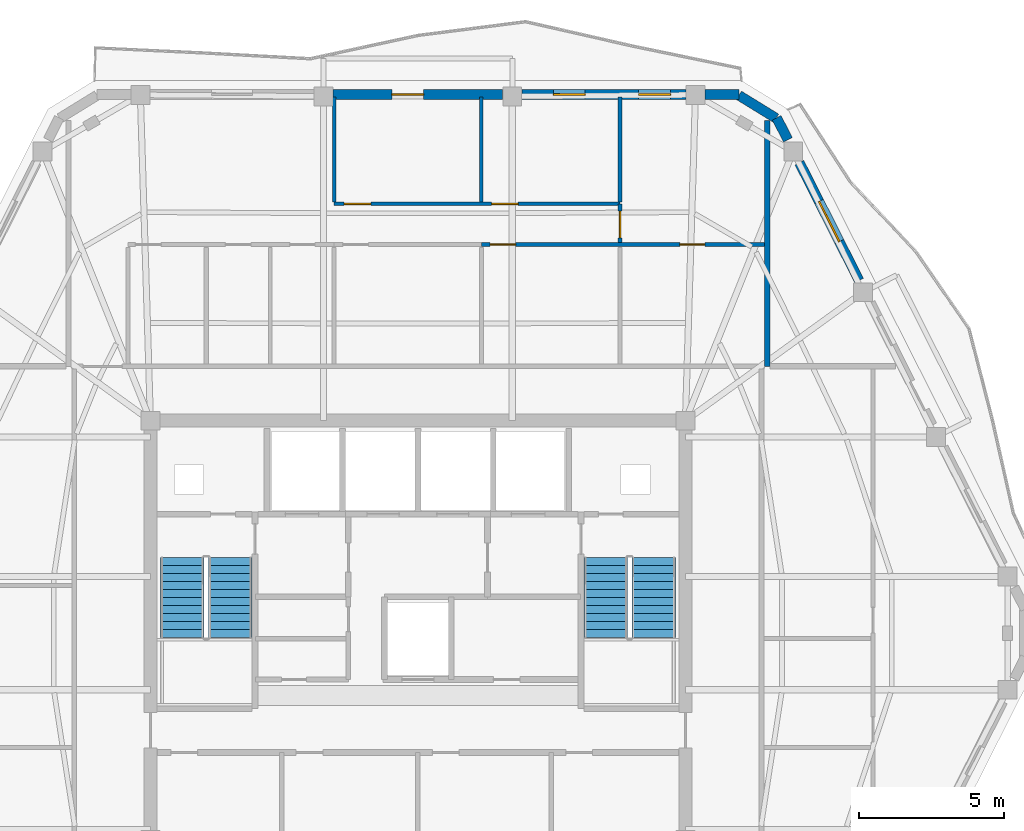
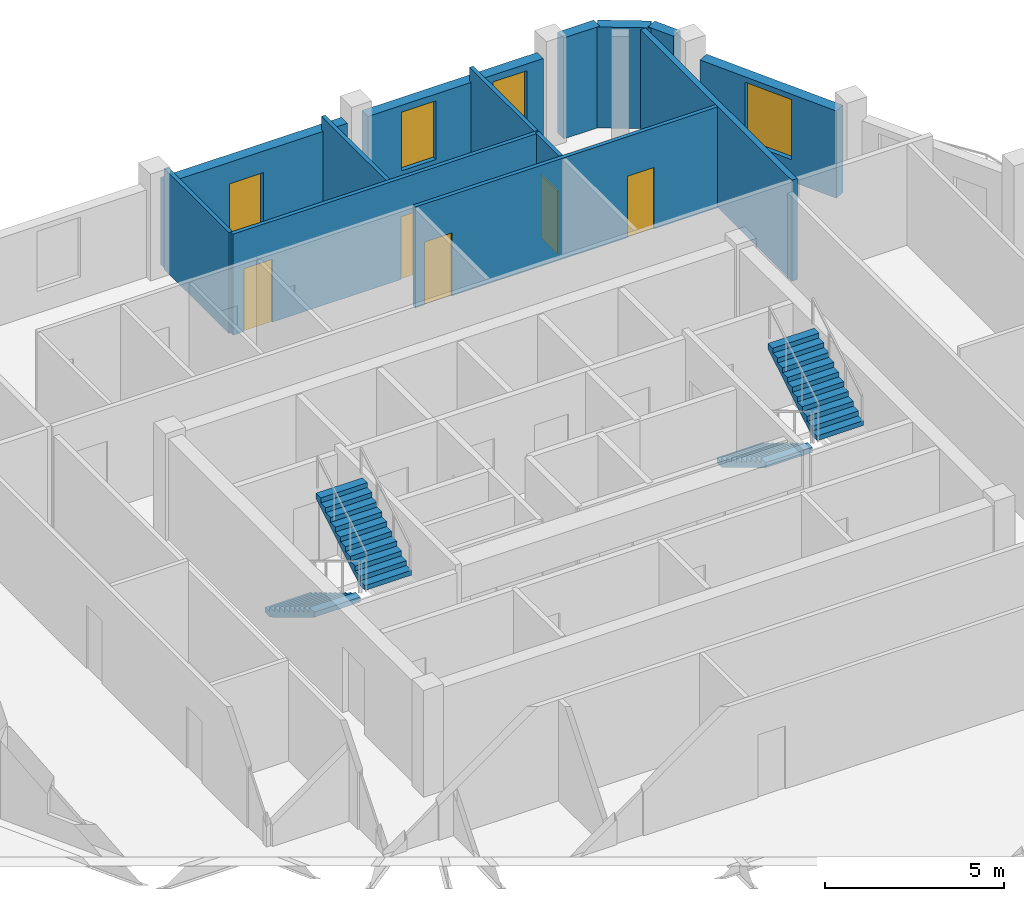
# One storey, part 7 of 10: 13 walls, 6 doors, 4 stair flights, 3 windows, 9 openings, 2 elements without a shape of their own.
"""IFC4 building model written with IfcOpenShell, lengths in metres."""

from ifc_helpers import new_model, si_unit, direction, frame, frame_2d, origin, place, context, subcontext, project, spatial, polyline, rectangle, outline, extrude, material, layer, layer_set, type_object, element, fill, aggregate, save


model = new_model("IFC4")

# Units and contexts
model_context = context("Model", 3, precision=1e-05, world=origin(), true_north=direction((0.0, 1.0)))
body_context = subcontext(model_context, "Body", "Model", "MODEL_VIEW")
ifc_project = project(units=[si_unit("LENGTHUNIT", "METRE"), si_unit("AREAUNIT", "SQUARE_METRE"), si_unit("VOLUMEUNIT", "CUBIC_METRE"), si_unit("PLANEANGLEUNIT", "RADIAN"), si_unit("MASSUNIT", "GRAM", prefix="KILO")], contexts=[model_context])

# Site, building, storey
site_placement = place(None, origin())
site = spatial("IfcSite", under=ifc_project, at=site_placement, CompositionType="ELEMENT")
building_placement = place(site_placement, origin())
building = spatial("IfcBuilding", under=site, at=building_placement, Name="Cinnabar Lancet Tower", CompositionType="ELEMENT")
storey_placement = place(building_placement, frame((0.0, 0.0, 267.14990234375)))
storey = spatial("IfcBuildingStorey", under=building, at=storey_placement, Name="L71", CompositionType="ELEMENT", Elevation=267.14990234375)

# Wall
ifc_material_1 = material(Name="Fire-rated twin-frame acoustic drywall", Category="gypsum")
ifc_layer_1 = layer(ifc_material_1, 0.179931640625)
ifc_layer_set_1 = layer_set([ifc_layer_1], Name="Fire-rated twin-frame acoustic drywall")
wall_type_1 = type_object("IfcWallType", Name="ARC-WL-PARTY-180", PredefinedType="PARTITIONING", material=ifc_layer_set_1)
wall_1_placement = place(storey_placement, frame((44.449951171875, 35.0, 0.0), z_axis=(0.0, 0.0, 1.0), x_axis=(0.0, 1.0, 0.0)))
element("IfcWall", 1, at=wall_1_placement, inside=storey, type_object=wall_type_1, Name="PW-L71-NPTY-444", PredefinedType="PARTITIONING", context=body_context, shape_type="SweptSolid", body=[
    extrude(rectangle(XDim=8.48095703125, YDim=0.179931640625, at=frame_2d((4.240478515625, 0.0))), origin(), (0.0, 0.0, 1.0), 3.4501953125),
])

# Wall, openings, doors
ifc_material_2 = material(Name="Gypsum plasterboard stud partition", Category="gypsum")
ifc_layer_2 = layer(ifc_material_2, 0.125)
ifc_layer_set_2 = layer_set([ifc_layer_2], Name="Gypsum plasterboard stud partition")
wall_type_2 = type_object("IfcWallType", Name="ARC-WL-UNIT-125", PredefinedType="PARTITIONING", material=ifc_layer_set_2)
wall_2_placement = place(storey_placement, frame((34.587890625, 39.200927734375, 0.0), z_axis=(0.0, 0.0, 1.0), x_axis=(1.0, 0.0, 0.0)))
wall_2 = element("IfcWall", 2, at=wall_2_placement, inside=storey, type_object=wall_type_2, Name="UW-L71-N01-SP2", PredefinedType="PARTITIONING", context=body_context, shape_type="SweptSolid", body=[
    extrude(rectangle(XDim=9.76708984375, YDim=0.125, at=frame_2d((4.883544921875, 0.0))), origin(), (0.0, 0.0, 1.0), 3.4501953125),
])
opening_1_placement = place(wall_2_placement, frame((6.84912109375, 0.0, 0.0)))
opening_1 = element("IfcOpeningElement", 3, at=opening_1_placement, cuts=wall_2, Name="Opening BD-01", PredefinedType="OPENING", context=body_context, shape_type="SweptSolid", body=[
    extrude(rectangle(XDim=0.860107421875, YDim=2.10009765625, at=frame_2d((0.43017578125, 1.050048828125))), frame((0.0, 0.072509765625, 0.0), z_axis=(0.0, -1.0, 0.0), x_axis=(1.0, 0.0, 0.0)), (0.0, 0.0, 1.0), 0.14501953125),
])
opening_2_placement = place(wall_2_placement, frame((0.300048828125, 0.0, 0.0)))
opening_2 = element("IfcOpeningElement", 4, at=opening_2_placement, cuts=wall_2, Name="Opening RD-02", PredefinedType="OPENING", context=body_context, shape_type="SweptSolid", body=[
    extrude(rectangle(XDim=0.8798828125, YDim=2.14990234375, at=frame_2d((0.43994140625, 1.074951171875))), frame((0.0, 0.072509765625, 0.0), z_axis=(0.0, -1.0, 0.0), x_axis=(1.0, 0.0, 0.0)), (0.0, 0.0, 1.0), 0.14501953125),
])
ifc_material_3 = material(Name="Moisture-resistant timber bathroom door", Category="wood")
door_type_1 = type_object("IfcDoorType", Name="ARC-DR-BATH", OperationType="NOTDEFINED", PredefinedType="DOOR", material=ifc_material_3)
door_1_placement = place(opening_1_placement, origin())
door_1 = element("IfcDoor", 5, at=door_1_placement, inside=storey, type_object=door_type_1, Name="DR-L71-N01-ENS", OperationType="SINGLE_SWING_LEFT", OverallHeight=2.10009765625, OverallWidth=0.860107421875, PredefinedType="DOOR", context=body_context, shape_type="SweptSolid", body=[
    extrude(rectangle(XDim=0.860107421875, YDim=2.10009765625, at=frame_2d((0.43017578125, 1.050048828125))), frame((0.0, 0.02490234375, 0.0), z_axis=(0.0, -1.0, 0.0), x_axis=(1.0, 0.0, 0.0)), (0.0, 0.0, 1.0), 0.050048828125),
])
fill(opening_1, door_1)
ifc_material_4 = material(Name="Engineered timber study door", Category="wood")
door_type_2 = type_object("IfcDoorType", Name="ARC-DR-STUDY", OperationType="NOTDEFINED", PredefinedType="DOOR", material=ifc_material_4)
door_2_placement = place(opening_2_placement, origin())
door_2 = element("IfcDoor", 6, at=door_2_placement, inside=storey, type_object=door_type_2, Name="DR-L71-N01-DRS", OperationType="SINGLE_SWING_RIGHT", OverallHeight=2.14990234375, OverallWidth=0.8798828125, PredefinedType="DOOR", context=body_context, shape_type="SweptSolid", body=[
    extrude(rectangle(XDim=0.8798828125, YDim=2.14990234375, at=frame_2d((0.43994140625, 1.074951171875))), frame((0.0, 0.02490234375, 0.0), z_axis=(0.0, -1.0, 0.0), x_axis=(1.0, 0.0, 0.0)), (0.0, 0.0, 1.0), 0.050048828125),
])
fill(opening_2, door_2)

# Wall
wall_3_placement = place(storey_placement, frame((29.508056640625, 40.666015625, 0.0), z_axis=(0.0, 0.0, 1.0), x_axis=(0.0, 1.0, 0.0)))
element("IfcWall", 7, at=wall_3_placement, inside=storey, type_object=wall_type_2, Name="UW-L71-N01-BD2W", PredefinedType="PARTITIONING", context=body_context, shape_type="SweptSolid", body=[
    extrude(rectangle(XDim=3.618896484375, YDim=0.125, at=frame_2d((1.8095703125, 0.0))), origin(), (0.0, 0.0, 1.0), 3.4501953125),
])

# Wall, openings, doors
wall_4_placement = place(storey_placement, frame((29.508056640625, 40.60107421875, 0.0), z_axis=(0.0, 0.0, 1.0), x_axis=(1.0, 0.0, 0.0)))
wall_4 = element("IfcWall", 8, at=wall_4_placement, inside=storey, type_object=wall_type_2, Name="UW-L71-N01-HLN", PredefinedType="PARTITIONING", context=body_context, shape_type="SweptSolid", body=[
    extrude(rectangle(XDim=9.862060546875, YDim=0.125, at=frame_2d((4.93115234375, 0.0))), origin(), (0.0, 0.0, 1.0), 3.4501953125),
])
opening_3_placement = place(wall_4_placement, frame((0.35009765625, 0.0, 0.0)))
opening_3 = element("IfcOpeningElement", 9, at=opening_3_placement, cuts=wall_4, Name="Opening RD-01", PredefinedType="OPENING", context=body_context, shape_type="SweptSolid", body=[
    extrude(rectangle(XDim=0.919921875, YDim=2.14990234375, at=frame_2d((0.4599609375, 1.074951171875))), frame((0.0, 0.072509765625, 0.0), z_axis=(0.0, -1.0, 0.0), x_axis=(1.0, 0.0, 0.0)), (0.0, 0.0, 1.0), 0.14501953125),
])
opening_4_placement = place(wall_4_placement, frame((5.429931640625, 0.0, 0.0)))
opening_4 = element("IfcOpeningElement", 10, at=opening_4_placement, cuts=wall_4, Name="Opening RD-01", PredefinedType="OPENING", context=body_context, shape_type="SweptSolid", body=[
    extrude(rectangle(XDim=0.919921875, YDim=2.14990234375, at=frame_2d((0.4599609375, 1.074951171875))), frame((0.0, 0.072509765625, 0.0), z_axis=(0.0, -1.0, 0.0), x_axis=(1.0, 0.0, 0.0)), (0.0, 0.0, 1.0), 0.14501953125),
])
ifc_material_5 = material(Name="Engineered timber bedroom door", Category="wood")
door_type_3 = type_object("IfcDoorType", Name="ARC-DR-ROOM", OperationType="NOTDEFINED", PredefinedType="DOOR", material=ifc_material_5)
door_3_placement = place(opening_3_placement, origin())
door_3 = element("IfcDoor", 11, at=door_3_placement, inside=storey, type_object=door_type_3, Name="DR-L71-N01-BD2", OperationType="SINGLE_SWING_LEFT", OverallHeight=2.14990234375, OverallWidth=0.919921875, PredefinedType="DOOR", context=body_context, shape_type="SweptSolid", body=[
    extrude(rectangle(XDim=0.919921875, YDim=2.14990234375, at=frame_2d((0.4599609375, 1.074951171875))), frame((0.0, 0.02490234375, 0.0), z_axis=(0.0, -1.0, 0.0), x_axis=(1.0, 0.0, 0.0)), (0.0, 0.0, 1.0), 0.050048828125),
])
fill(opening_3, door_3)
door_4_placement = place(opening_4_placement, origin())
door_4 = element("IfcDoor", 12, at=door_4_placement, inside=storey, type_object=door_type_3, Name="DR-L71-N01-BD3", OperationType="SINGLE_SWING_RIGHT", OverallHeight=2.14990234375, OverallWidth=0.919921875, PredefinedType="DOOR", context=body_context, shape_type="SweptSolid", body=[
    extrude(rectangle(XDim=0.919921875, YDim=2.14990234375, at=frame_2d((0.4599609375, 1.074951171875))), frame((0.0, 0.02490234375, 0.0), z_axis=(0.0, -1.0, 0.0), x_axis=(1.0, 0.0, 0.0)), (0.0, 0.0, 1.0), 0.050048828125),
])
fill(opening_4, door_4)

# Wall, opening, door
wall_5_placement = place(storey_placement, frame((39.3701171875, 39.27099609375, 0.0), z_axis=(0.0, 0.0, 1.0), x_axis=(0.0, 1.0, 0.0)))
wall_5 = element("IfcWall", 13, at=wall_5_placement, inside=storey, type_object=wall_type_2, Name="UW-L71-N01-MBE", PredefinedType="PARTITIONING", context=body_context, shape_type="SweptSolid", body=[
    extrude(rectangle(XDim=1.330078125, YDim=0.125, at=frame_2d((0.6650390625, 0.0))), origin(), (0.0, 0.0, 1.0), 3.4501953125),
])
opening_5_placement = place(wall_5_placement, frame((0.159912109375, 0.0, 0.0)))
opening_5 = element("IfcOpeningElement", 14, at=opening_5_placement, cuts=wall_5, Name="Opening RD-01", PredefinedType="OPENING", context=body_context, shape_type="SweptSolid", body=[
    extrude(rectangle(XDim=0.919921875, YDim=2.14990234375, at=frame_2d((0.4599609375, 1.074951171875))), frame((0.0, 0.072509765625, 0.0), z_axis=(0.0, -1.0, 0.0), x_axis=(1.0, 0.0, 0.0)), (0.0, 0.0, 1.0), 0.14501953125),
])
door_5_placement = place(opening_5_placement, origin())
door_5 = element("IfcDoor", 15, at=door_5_placement, inside=storey, type_object=door_type_3, Name="DR-L71-N01-MBD", OperationType="SINGLE_SWING_LEFT", OverallHeight=2.14990234375, OverallWidth=0.919921875, PredefinedType="DOOR", context=body_context, shape_type="SweptSolid", body=[
    extrude(rectangle(XDim=0.919921875, YDim=2.14990234375, at=frame_2d((0.4599609375, 1.074951171875))), frame((0.0, 0.02490234375, 0.0), z_axis=(0.0, -1.0, 0.0), x_axis=(1.0, 0.0, 0.0)), (0.0, 0.0, 1.0), 0.050048828125),
])
fill(opening_5, door_5)

# Walls
for number, where, z_axis, x_axis, name in (
    (16, (34.587890625, 40.666015625, 0.0), (0.0, 0.0, 1.0), (0.0, 1.0, 0.0), "UW-L71-N01-MB2W"),
    (17, (39.3701171875, 40.666015625, 0.0), (0.0, 0.0, 1.0), (0.0, 1.0, 0.0), "UW-L71-N01-B23W"),
):
    element("IfcWall", number, at=place(storey_placement, frame(where, z_axis=z_axis, x_axis=x_axis)), inside=storey, type_object=wall_type_2, Name=name, PredefinedType="PARTITIONING", context=body_context, shape_type="SweptSolid", body=[
        extrude(rectangle(XDim=3.618896484375, YDim=0.125, at=frame_2d((1.8095703125, 0.0))), origin(), (0.0, 0.0, 1.0), 3.4501953125),
    ])
ifc_material_6 = material(Name="Cinnabar red clay brick", Category="masonry")
ifc_layer_3 = layer(ifc_material_6, 0.340087890625)
ifc_layer_set_3 = layer_set([ifc_layer_3], Name="Cinnabar red clay brick")
wall_type_3 = type_object("IfcWallType", Name="ENV-WL-BRK-RED-340", PredefinedType="STANDARD", material=ifc_layer_set_3)
wall_6_placement = place(storey_placement, frame((44.7529296875, 43.554931640625, 0.0), z_axis=(0.0, 0.0, 1.0), x_axis=(-0.851680557619, 0.52406128246, 0.0)))
element("IfcWall", 18, at=wall_6_placement, inside=storey, type_object=wall_type_3, Name="L71 Chamfered Corner Brick Pier 4.1", PredefinedType="STANDARD", context=body_context, shape_type="SweptSolid", body=[
    extrude(rectangle(XDim=1.507568359375, YDim=0.340087890625, at=frame_2d((0.75390625, 0.0))), origin(), (0.0, 0.0, 1.0), 3.4501953125),
])

# Wall, opening, window
wall_7_placement = place(storey_placement, frame((47.612060546875, 37.9599609375, 0.0), z_axis=(0.0, 0.0, 1.0), x_axis=(-0.45154039276, 0.892250678737, 0.0)))
wall_7 = element("IfcWall", 19, at=wall_7_placement, inside=storey, type_object=wall_type_3, Name="L71 Face 3 Masonry Bay Wall 4", PredefinedType="STANDARD", context=body_context, shape_type="SweptSolid", body=[
    extrude(rectangle(XDim=4.5537109375, YDim=0.340087890625, at=frame_2d((2.27685546875, 0.0))), origin(), (0.0, 0.0, 1.0), 2.983154296875),
])
opening_6_placement = place(wall_7_placement, frame((1.501953125, 0.0, 0.75)))
opening_6 = element("IfcOpeningElement", 20, at=opening_6_placement, cuts=wall_7, Name="Opening WN-01", PredefinedType="OPENING", context=body_context, shape_type="SweptSolid", body=[
    extrude(rectangle(XDim=1.550048828125, YDim=2.050048828125, at=frame_2d((0.77490234375, 1.02490234375))), frame((0.0, 0.179931640625, 0.0), z_axis=(0.0, -1.0, 0.0), x_axis=(1.0, 0.0, 0.0)), (0.0, 0.0, 1.0), 0.360107421875),
])
ifc_material_7 = material(Name="Thermally broken bronze-anodized aluminium low-E double glazing", Category="aluminium")
window_type_1 = type_object("IfcWindowType", Name="ENV-WN-LANCET-1550", PartitioningType="SINGLE_PANEL", PredefinedType="WINDOW", material=ifc_material_7)
window_1_placement = place(opening_6_placement, origin())
window_1 = element("IfcWindow", 21, at=window_1_placement, inside=storey, type_object=window_type_1, Name="L71 Face 3 Gothic Lancet Window 4", OverallHeight=2.050048828125, OverallWidth=1.550048828125, PartitioningType="SINGLE_PANEL", PredefinedType="WINDOW", context=body_context, shape_type="SweptSolid", body=[
    extrude(rectangle(XDim=1.550048828125, YDim=2.050048828125, at=frame_2d((0.77490234375, 1.02490234375))), frame((0.0, 0.030029296875, 0.0), z_axis=(0.0, -1.0, 0.0), x_axis=(1.0, 0.0, 0.0)), (0.0, 0.0, 1.0), 0.06005859375),
])
fill(opening_6, window_1)

# Walls
wall_8_placement = place(storey_placement, frame((45.157958984375, 42.81103515625, 0.0), z_axis=(0.0, 0.0, 1.0), x_axis=(-0.451907025977, 0.8920650424, 0.0)))
element("IfcWall", 22, at=wall_8_placement, inside=storey, type_object=wall_type_3, Name="L71 Face 3 Masonry Bay Wall 5", PredefinedType="STANDARD", context=body_context, shape_type="SweptSolid", body=[
    extrude(rectangle(XDim=0.85205078125, YDim=0.340087890625, at=frame_2d((0.426025390625, 0.0))), origin(), (0.0, 0.0, 1.0), 3.4501953125),
])
wall_9_placement = place(storey_placement, frame((43.47412109375, 44.3701171875, 0.0), z_axis=(0.0, 0.0, 1.0), x_axis=(-1.0, 0.0, 0.0)))
element("IfcWall", 23, at=wall_9_placement, inside=storey, type_object=wall_type_3, Name="L71 Face 4 Masonry Bay Wall 1", PredefinedType="STANDARD", context=body_context, shape_type="SweptSolid", body=[
    extrude(rectangle(XDim=1.173095703125, YDim=0.340087890625, at=frame_2d((0.58642578125, 0.0))), origin(), (0.0, 0.0, 1.0), 3.4501953125),
])

# Wall, openings, windows
wall_10_placement = place(storey_placement, frame((41.64306640625, 44.3701171875, 0.0), z_axis=(0.0, 0.0, 1.0), x_axis=(-1.0, 0.0, 0.0)))
wall_10 = element("IfcWall", 24, at=wall_10_placement, inside=storey, type_object=wall_type_3, Name="L71 Face 4 Masonry Bay Wall 2", PredefinedType="STANDARD", context=body_context, shape_type="SweptSolid", body=[
    extrude(rectangle(XDim=5.66015625, YDim=0.340087890625, at=frame_2d((2.830078125, 0.0))), origin(), (0.0, 0.0, 1.0), 2.983154296875),
])
opening_7_placement = place(wall_10_placement, frame((0.530029296875, 0.0, 0.75)))
opening_7 = element("IfcOpeningElement", 25, at=opening_7_placement, cuts=wall_10, Name="Opening WN-04", PredefinedType="OPENING", context=body_context, shape_type="SweptSolid", body=[
    extrude(rectangle(XDim=1.10009765625, YDim=2.0, at=frame_2d((0.550048828125, 1.0))), frame((0.0, 0.179931640625, 0.0), z_axis=(0.0, -1.0, 0.0), x_axis=(1.0, 0.0, 0.0)), (0.0, 0.0, 1.0), 0.360107421875),
])
opening_8_placement = place(wall_10_placement, frame((3.472900390625, 0.0, 0.75)))
opening_8 = element("IfcOpeningElement", 26, at=opening_8_placement, cuts=wall_10, Name="Opening WN-04", PredefinedType="OPENING", context=body_context, shape_type="SweptSolid", body=[
    extrude(rectangle(XDim=1.10009765625, YDim=2.0, at=frame_2d((0.550048828125, 1.0))), frame((0.0, 0.179931640625, 0.0), z_axis=(0.0, -1.0, 0.0), x_axis=(1.0, 0.0, 0.0)), (0.0, 0.0, 1.0), 0.360107421875),
])
ifc_material_8 = material(Name="Thermally broken bronze-anodized aluminium tall lancet window", Category="aluminium")
window_type_2 = type_object("IfcWindowType", Name="ENV-WN-LANCET-1100", PartitioningType="SINGLE_PANEL", PredefinedType="WINDOW", material=ifc_material_8)
window_2_placement = place(opening_7_placement, origin())
window_2 = element("IfcWindow", 27, at=window_2_placement, inside=storey, type_object=window_type_2, Name="L71 Face 4 Gothic Lancet Window 2", OverallHeight=2.0, OverallWidth=1.10009765625, PartitioningType="SINGLE_PANEL", PredefinedType="WINDOW", context=body_context, shape_type="SweptSolid", body=[
    extrude(rectangle(XDim=1.10009765625, YDim=2.0, at=frame_2d((0.550048828125, 1.0))), frame((0.0, 0.030029296875, 0.0), z_axis=(0.0, -1.0, 0.0), x_axis=(1.0, 0.0, 0.0)), (0.0, 0.0, 1.0), 0.06005859375),
])
fill(opening_7, window_2)
window_3_placement = place(opening_8_placement, origin())
window_3 = element("IfcWindow", 28, at=window_3_placement, inside=storey, type_object=window_type_2, Name="L71 Split-Bay Gothic Lancet Window 265", OverallHeight=2.0, OverallWidth=1.10009765625, PartitioningType="SINGLE_PANEL", PredefinedType="WINDOW", context=body_context, shape_type="SweptSolid", body=[
    extrude(rectangle(XDim=1.10009765625, YDim=2.0, at=frame_2d((0.550048828125, 1.0))), frame((0.0, 0.030029296875, 0.0), z_axis=(0.0, -1.0, 0.0), x_axis=(1.0, 0.0, 0.0)), (0.0, 0.0, 1.0), 0.06005859375),
])
fill(opening_8, window_3)

# Wall, opening, door
wall_11_placement = place(storey_placement, frame((35.324951171875, 44.3701171875, 0.0), z_axis=(0.0, 0.0, 1.0), x_axis=(-1.0, 0.0, 0.0)))
wall_11 = element("IfcWall", 29, at=wall_11_placement, inside=storey, type_object=wall_type_3, Name="L71 Face 4 Masonry Bay Wall 3", PredefinedType="STANDARD", context=body_context, shape_type="SweptSolid", body=[
    extrude(rectangle(XDim=5.849853515625, YDim=0.340087890625, at=frame_2d((2.9248046875, 0.0))), origin(), (0.0, 0.0, 1.0), 2.983154296875),
])
opening_9_placement = place(wall_11_placement, frame((2.72705078125, 0.0, 0.0)))
opening_9 = element("IfcOpeningElement", 30, at=opening_9_placement, cuts=wall_11, Name="Opening TD-01", PredefinedType="OPENING", context=body_context, shape_type="SweptSolid", body=[
    extrude(rectangle(XDim=1.10009765625, YDim=2.25, at=frame_2d((0.550048828125, 1.125))), frame((0.0, 0.179931640625, 0.0), z_axis=(0.0, -1.0, 0.0), x_axis=(1.0, 0.0, 0.0)), (0.0, 0.0, 1.0), 0.360107421875),
])
ifc_material_9 = material(Name="Thermally broken low-E glazed balcony terrace door", Category="wood")
door_type_4 = type_object("IfcDoorType", Name="ARC-DR-BALC", OperationType="NOTDEFINED", PredefinedType="DOOR", material=ifc_material_9)
door_6_placement = place(opening_9_placement, origin())
door_6 = element("IfcDoor", 31, at=door_6_placement, inside=storey, type_object=door_type_4, Name="L71 Face 4 Glazed Terrace Door", OperationType="SINGLE_SWING_LEFT", OverallHeight=2.25, OverallWidth=1.10009765625, PredefinedType="DOOR", context=body_context, shape_type="SweptSolid", body=[
    extrude(rectangle(XDim=1.10009765625, YDim=2.25, at=frame_2d((0.550048828125, 1.125))), frame((0.0, 0.02490234375, 0.0), z_axis=(0.0, -1.0, 0.0), x_axis=(1.0, 0.0, 0.0)), (0.0, 0.0, 1.0), 0.050048828125),
])
fill(opening_9, door_6)

# Stair, stair flights
ifc_material_10 = material(Name="Concrete C40/50", Category="concrete")
stair_type = type_object("IfcStairType", Name="ST-CORE", PredefinedType="HALF_TURN_STAIR", material=ifc_material_10)
stair_1_placement = place(storey_placement, origin())
stair_1 = element("IfcStair", 32, at=stair_1_placement, inside=storey, type_object=stair_type, Name="L71 ST-1", PredefinedType="HALF_TURN_STAIR")
ifc_material_11 = material(Name="Concrete C40/50", Category="concrete")
stair_flight_type = type_object("IfcStairFlightType", Name="FLIGHT-CORE", PredefinedType="STRAIGHT", material=ifc_material_11)
stair_flight_1_placement = place(storey_placement, frame((24.27490234375, 28.39990234375, 0.0), z_axis=(0.0, 0.0, 1.0), x_axis=(0.0, -1.0, 0.0)))
stair_flight_1 = element("IfcStairFlight", 33, at=stair_flight_1_placement, type_object=stair_flight_type, Name="ST-1 flight 1", NumberOfRisers=11, NumberOfTreads=10, PredefinedType="STRAIGHT", RiserHeight=0.165909091, TreadLength=0.275, context=body_context, shape_type="SweptSolid", body=[
    extrude(outline(polyline([(0.0, 0.0), (0.0, 0.166015625), (0.27490234375, 0.166015625), (0.27490234375, 0.331787109375), (0.550048828125, 0.331787109375), (0.550048828125, 0.497802734375), (0.824951171875, 0.497802734375), (0.824951171875, 0.66357421875), (1.10009765625, 0.66357421875), (1.10009765625, 0.82958984375), (1.375, 0.82958984375), (1.375, 0.995361328125), (1.64990234375, 0.995361328125), (1.64990234375, 1.161376953125), (1.925048828125, 1.161376953125), (1.925048828125, 1.327392578125), (2.199951171875, 1.327392578125), (2.199951171875, 1.4931640625), (2.47509765625, 1.4931640625), (2.47509765625, 1.6591796875), (2.75, 1.6591796875), (2.75, 1.824951171875), (2.75, 1.484130859375), (0.290283203125, 0.0), (0.0, 0.0)])), frame((0.0, 0.75, 0.0), z_axis=(0.0, -1.0, 0.0), x_axis=(1.0, 0.0, 0.0)), (0.0, 0.0, 1.0), 1.5),
])
stair_flight_2_placement = place(storey_placement, frame((25.925048828125, 25.64990234375, 1.8251953125), z_axis=(0.0, 0.0, 1.0), x_axis=(0.0, 1.0, 0.0)))
stair_flight_2 = element("IfcStairFlight", 34, at=stair_flight_2_placement, type_object=stair_flight_type, Name="ST-1 flight 2", NumberOfRisers=11, NumberOfTreads=10, PredefinedType="STRAIGHT", RiserHeight=0.165909091, TreadLength=0.275, context=body_context, shape_type="SweptSolid", body=[
    extrude(outline(polyline([(0.0, 0.0), (0.0, 0.166015625), (0.27490234375, 0.166015625), (0.27490234375, 0.331787109375), (0.550048828125, 0.331787109375), (0.550048828125, 0.497802734375), (0.824951171875, 0.497802734375), (0.824951171875, 0.66357421875), (1.10009765625, 0.66357421875), (1.10009765625, 0.82958984375), (1.375, 0.82958984375), (1.375, 0.995361328125), (1.64990234375, 0.995361328125), (1.64990234375, 1.161376953125), (1.925048828125, 1.161376953125), (1.925048828125, 1.327392578125), (2.199951171875, 1.327392578125), (2.199951171875, 1.4931640625), (2.47509765625, 1.4931640625), (2.47509765625, 1.6591796875), (2.75, 1.6591796875), (2.75, 1.824951171875), (2.75, 1.484130859375), (0.290283203125, 0.0), (0.0, 0.0)])), frame((0.0, 0.75, 0.0), z_axis=(0.0, -1.0, 0.0), x_axis=(1.0, 0.0, 0.0)), (0.0, 0.0, 1.0), 1.5),
])
aggregate(stair_1, [stair_flight_1, stair_flight_2])

stair_2_placement = place(storey_placement, origin())
stair_2 = element("IfcStair", 35, at=stair_2_placement, inside=storey, type_object=stair_type, Name="L71 ST-2", PredefinedType="HALF_TURN_STAIR")
stair_flight_3_placement = place(storey_placement, frame((38.875, 28.39990234375, 0.0), z_axis=(0.0, 0.0, 1.0), x_axis=(0.0, -1.0, 0.0)))
stair_flight_3 = element("IfcStairFlight", 36, at=stair_flight_3_placement, type_object=stair_flight_type, Name="ST-2 flight 1", NumberOfRisers=11, NumberOfTreads=10, PredefinedType="STRAIGHT", RiserHeight=0.165909091, TreadLength=0.275, context=body_context, shape_type="SweptSolid", body=[
    extrude(outline(polyline([(0.0, 0.0), (0.0, 0.166015625), (0.27490234375, 0.166015625), (0.27490234375, 0.331787109375), (0.550048828125, 0.331787109375), (0.550048828125, 0.497802734375), (0.824951171875, 0.497802734375), (0.824951171875, 0.66357421875), (1.10009765625, 0.66357421875), (1.10009765625, 0.82958984375), (1.375, 0.82958984375), (1.375, 0.995361328125), (1.64990234375, 0.995361328125), (1.64990234375, 1.161376953125), (1.925048828125, 1.161376953125), (1.925048828125, 1.327392578125), (2.199951171875, 1.327392578125), (2.199951171875, 1.4931640625), (2.47509765625, 1.4931640625), (2.47509765625, 1.6591796875), (2.75, 1.6591796875), (2.75, 1.824951171875), (2.75, 1.484130859375), (0.290283203125, 0.0), (0.0, 0.0)])), frame((0.0, 0.75, 0.0), z_axis=(0.0, -1.0, 0.0), x_axis=(1.0, 0.0, 0.0)), (0.0, 0.0, 1.0), 1.5),
])
stair_flight_4_placement = place(storey_placement, frame((40.52490234375, 25.64990234375, 1.8251953125), z_axis=(0.0, 0.0, 1.0), x_axis=(0.0, 1.0, 0.0)))
stair_flight_4 = element("IfcStairFlight", 37, at=stair_flight_4_placement, type_object=stair_flight_type, Name="ST-2 flight 2", NumberOfRisers=11, NumberOfTreads=10, PredefinedType="STRAIGHT", RiserHeight=0.165909091, TreadLength=0.275, context=body_context, shape_type="SweptSolid", body=[
    extrude(outline(polyline([(0.0, 0.0), (0.0, 0.166015625), (0.27490234375, 0.166015625), (0.27490234375, 0.331787109375), (0.550048828125, 0.331787109375), (0.550048828125, 0.497802734375), (0.824951171875, 0.497802734375), (0.824951171875, 0.66357421875), (1.10009765625, 0.66357421875), (1.10009765625, 0.82958984375), (1.375, 0.82958984375), (1.375, 0.995361328125), (1.64990234375, 0.995361328125), (1.64990234375, 1.161376953125), (1.925048828125, 1.161376953125), (1.925048828125, 1.327392578125), (2.199951171875, 1.327392578125), (2.199951171875, 1.4931640625), (2.47509765625, 1.4931640625), (2.47509765625, 1.6591796875), (2.75, 1.6591796875), (2.75, 1.824951171875), (2.75, 1.484130859375), (0.290283203125, 0.0), (0.0, 0.0)])), frame((0.0, 0.75, 0.0), z_axis=(0.0, -1.0, 0.0), x_axis=(1.0, 0.0, 0.0)), (0.0, 0.0, 1.0), 1.5),
])
aggregate(stair_2, [stair_flight_3, stair_flight_4])

save(model, "model.ifc")
